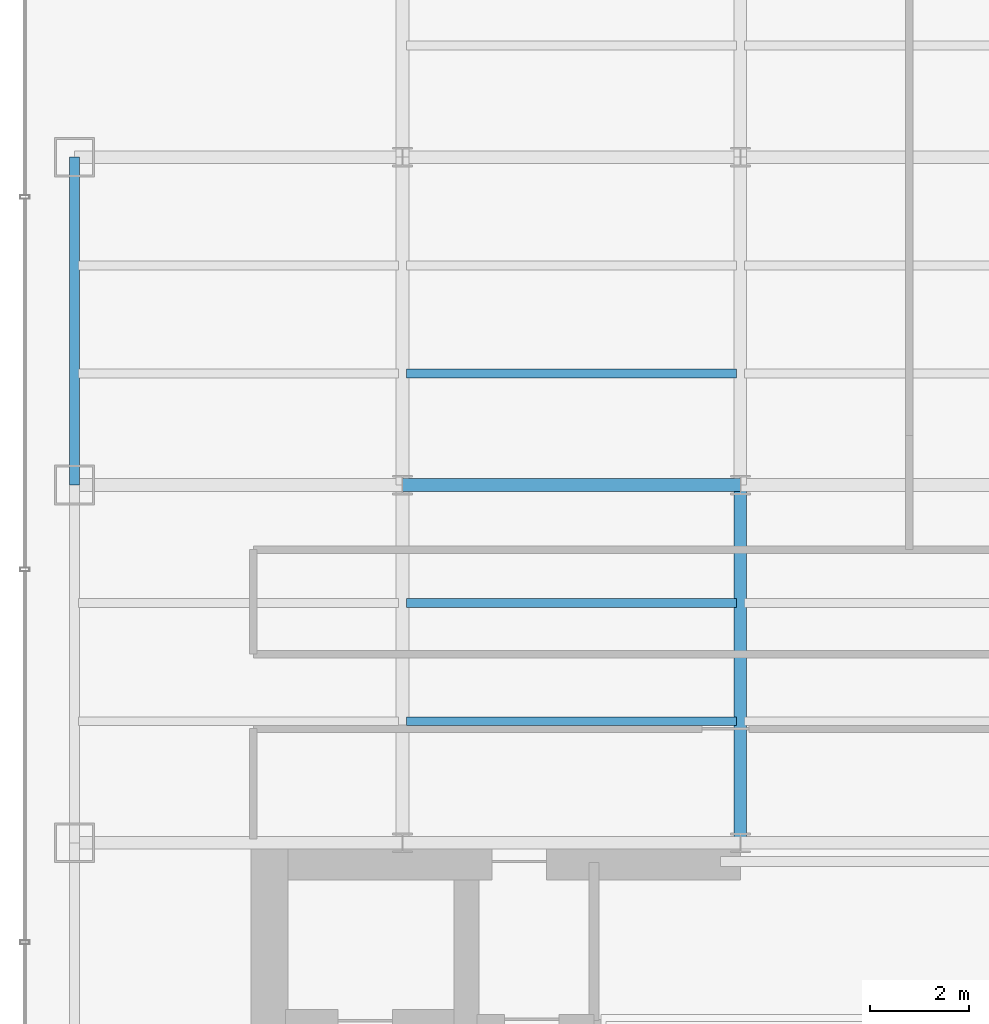
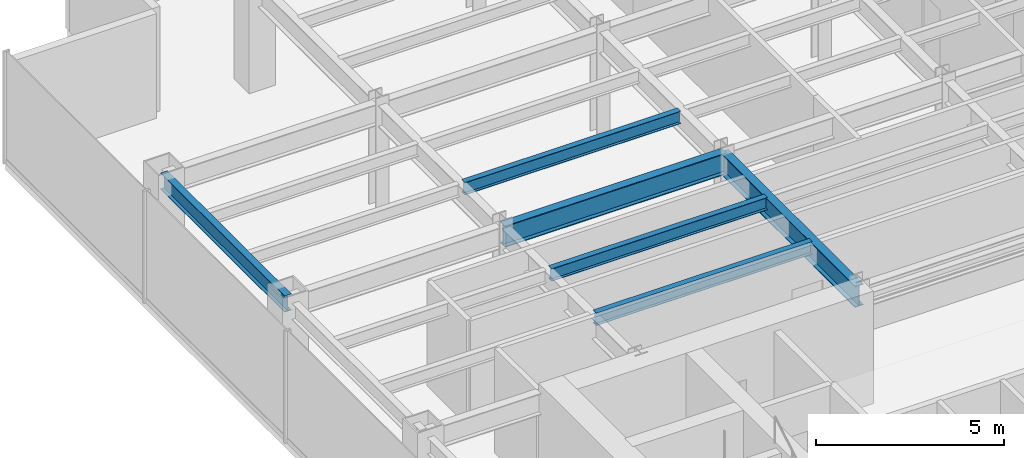
# One storey, part 5 of 26: 6 beams.
"""IFC4 building model written with IfcOpenShell, lengths in metres."""

from ifc_helpers import new_model, si_unit, derived_unit, direction, frame, origin, origin_2d, place, context, subcontext, project, spatial, i_section, extrude, source, transform, mapped, material, material_profile, profile_set, type_object, element, save


model = new_model("IFC4")

# Units and contexts
model_context = context("Model", 3, precision=1e-05, world=origin(), true_north=direction((0.0, 1.0)))
body_context = subcontext(model_context, "Body", "Model", "MODEL_VIEW")
ifc_project = project(units=[si_unit("LENGTHUNIT", "METRE"), si_unit("AREAUNIT", "SQUARE_METRE"), si_unit("VOLUMEUNIT", "CUBIC_METRE"), si_unit("PLANEANGLEUNIT", "RADIAN"), si_unit("MASSUNIT", "GRAM", prefix="KILO"), derived_unit("THERMALTRANSMITTANCEUNIT", [(si_unit("POWERUNIT", "WATT"), 1), (si_unit("LENGTHUNIT", "METRE"), -2), (si_unit("THERMODYNAMICTEMPERATUREUNIT", "KELVIN"), -1)])], contexts=[model_context])

# Site, building, storey
site_placement = place(None, origin())
site = spatial("IfcSite", under=ifc_project, at=site_placement, CompositionType="ELEMENT")
building_placement = place(site_placement, origin())
building = spatial("IfcBuilding", under=site, at=building_placement, Name="Skarnbrae Concourse Arena and Tower", CompositionType="ELEMENT")
storey_placement = place(building_placement, frame((0.0, 0.0, 95.949951171875)))
storey = spatial("IfcBuildingStorey", under=building, at=storey_placement, Name="L23", CompositionType="ELEMENT", Elevation=95.949951171875)

# Beams
ifc_material = material(Name="Steel CSA G40.21 350W", Category="steel")
ifc_material_profile_1 = material_profile(ifc_material, i_section(OverallWidth=0.256103515625, OverallDepth=0.693115234375, WebThickness=0.014404296875, FlangeThickness=0.023681640625, at=origin_2d()), Name="W690X170")
ifc_profile_set_1 = profile_set([ifc_material_profile_1], Name="Steel CSA G40.21 350W")
beam_type_1 = type_object("IfcBeamType", Name="BM-GIRD-W690X170", PredefinedType="BEAM", material=ifc_profile_set_1)
shared_shape_1 = source(origin(), body_context, "Body", "SweptSolid", [
    extrude(i_section(OverallWidth=0.256103515625, OverallDepth=0.693115234375, WebThickness=0.014404296875, FlangeThickness=0.023681640625, at=origin_2d()), origin(), (0.0, 0.0, 1.0), 6.7998046875),
])
beam_1_placement = place(storey_placement, frame((7.60009765625, 21.199951171875, 3.053466796875), z_axis=(1.0, 0.0, 0.0), x_axis=(0.0, 1.0, 0.0)))
element("IfcBeam", 1, at=beam_1_placement, inside=storey, type_object=beam_type_1, Name="L23 Primary E-W girder Y21.2-2", PredefinedType="BEAM", context=body_context, shape_type="MappedRepresentation", body=[
    mapped(shared_shape_1, transform((0.0, 0.0, 0.0))),
])
ifc_material_profile_2 = material_profile(ifc_material, i_section(OverallWidth=0.208984375, OverallDepth=0.532958984375, WebThickness=0.01025390625, FlangeThickness=0.015625, at=origin_2d()), Name="W530X92")
ifc_profile_set_2 = profile_set([ifc_material_profile_2], Name="Steel CSA G40.21 350W")
beam_type_2 = type_object("IfcBeamType", Name="BM-SPAN-W530X92", PredefinedType="SPANDREL", material=ifc_profile_set_2)
shared_shape_2 = source(origin(), body_context, "Body", "SweptSolid", [
    extrude(i_section(OverallWidth=0.208984375, OverallDepth=0.532958984375, WebThickness=0.01025390625, FlangeThickness=0.015625, at=origin_2d()), origin(), (0.0, 0.0, 1.0), 6.60009765625),
])
beam_2_placement = place(storey_placement, frame((1.0, 21.199951171875, 3.133544921875), z_axis=(0.0, 1.0, 0.0), x_axis=(-1.0, 0.0, 0.0)))
element("IfcBeam", 2, at=beam_2_placement, inside=storey, type_object=beam_type_2, Name="L23 Perimeter spandrel X1.0-3", PredefinedType="SPANDREL", context=body_context, shape_type="MappedRepresentation", body=[
    mapped(shared_shape_2, transform((0.0, 0.0, 0.0))),
])
shared_shape_3 = source(origin(), body_context, "Body", "SweptSolid", [
    extrude(i_section(OverallWidth=0.256103515625, OverallDepth=0.693115234375, WebThickness=0.014404296875, FlangeThickness=0.023681640625, at=origin_2d()), origin(), (0.0, 0.0, 1.0), 7.199951171875),
])
beam_3_placement = place(storey_placement, frame((14.39990234375, 14.0, 3.053466796875), z_axis=(0.0, 1.0, 0.0), x_axis=(-1.0, 0.0, 0.0)))
element("IfcBeam", 3, at=beam_3_placement, inside=storey, type_object=beam_type_1, Name="L23 Primary N-S girder X14.4-1", PredefinedType="BEAM", context=body_context, shape_type="MappedRepresentation", body=[
    mapped(shared_shape_3, transform((0.0, 0.0, 0.0))),
])
ifc_material_profile_3 = material_profile(ifc_material, i_section(OverallWidth=0.177978515625, OverallDepth=0.406982421875, WebThickness=0.0078125, FlangeThickness=0.0126953125, at=origin_2d()), Name="W410X60")
ifc_profile_set_3 = profile_set([ifc_material_profile_3], Name="Steel CSA G40.21 350W")
beam_type_3 = type_object("IfcBeamType", Name="BM-JOIST-W410X60", PredefinedType="JOIST", material=ifc_profile_set_3)
shared_shape_4 = source(origin(), body_context, "Body", "SweptSolid", [
    extrude(i_section(OverallWidth=0.177978515625, OverallDepth=0.406982421875, WebThickness=0.0078125, FlangeThickness=0.0126953125, at=origin_2d()), origin(), (0.0, 0.0, 1.0), 6.64013671875),
])
for number, where, z_axis, x_axis, name in (
    (4, (7.679931640625, 16.447998046875, 3.196533203125), (1.0, 0.0, 0.0), (0.0, 1.0, 0.0), "L23 Secondary floor joist 1.1.2"),
    (5, (7.679931640625, 18.823974609375, 3.196533203125), (1.0, 0.0, 0.0), (0.0, 1.0, 0.0), "L23 Secondary floor joist 1.2.2"),
    (6, (7.679931640625, 23.444091796875, 3.196533203125), (1.0, 0.0, 0.0), (0.0, 1.0, 0.0), "L23 Secondary floor joist 2.1.2"),
):
    element("IfcBeam", number, at=place(storey_placement, frame(where, z_axis=z_axis, x_axis=x_axis)), inside=storey, type_object=beam_type_3, Name=name, PredefinedType="JOIST", context=body_context, shape_type="MappedRepresentation", body=[
        mapped(shared_shape_4, transform((0.0, 0.0, 0.0))),
    ])

save(model, "model.ifc")
